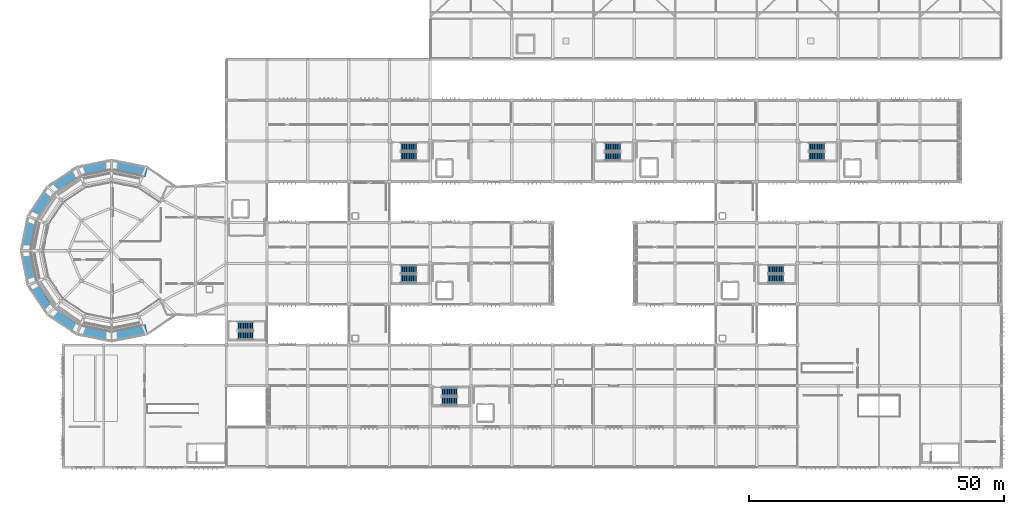
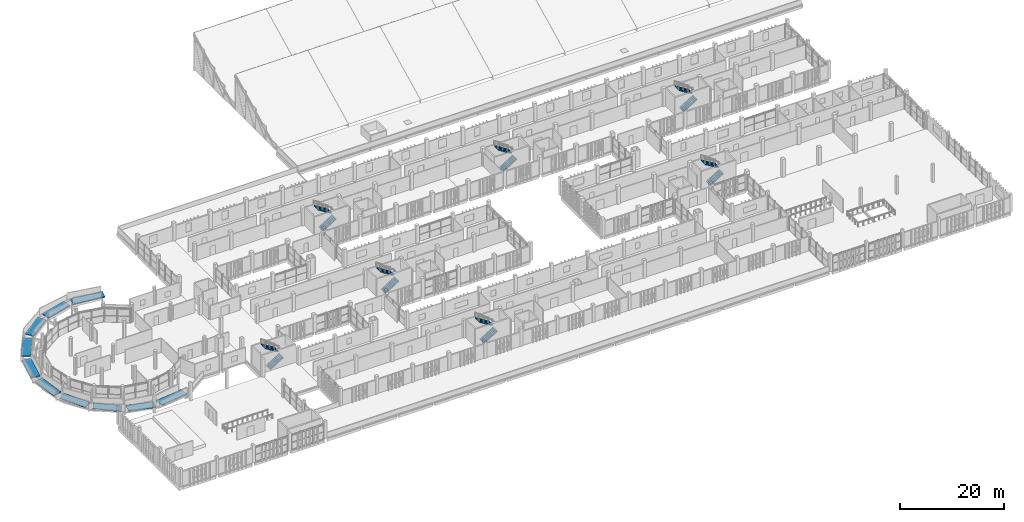
# One storey, part 124 of 137: 14 stair flights, 10 ramp flights, 8 elements without a shape of their own.
"""IFC4 building model written with IfcOpenShell, lengths in metres."""

from ifc_helpers import new_model, si_unit, direction, frame, origin, place, context, subcontext, project, spatial, polyline, outline, extrude, material, type_object, element, aggregate, save


model = new_model("IFC4")

# Units and contexts
model_context = context("Model", 3, precision=1e-05, world=origin(), true_north=direction((0.0, 1.0)))
body_context = subcontext(model_context, "Body", "Model", "MODEL_VIEW")
ifc_project = project(units=[si_unit("LENGTHUNIT", "METRE"), si_unit("AREAUNIT", "SQUARE_METRE"), si_unit("VOLUMEUNIT", "CUBIC_METRE"), si_unit("PLANEANGLEUNIT", "RADIAN"), si_unit("MASSUNIT", "GRAM", prefix="KILO")], contexts=[model_context])

# Site, building, storey
site_placement = place(None, origin())
site = spatial("IfcSite", under=ifc_project, at=site_placement, CompositionType="ELEMENT")
building_placement = place(site_placement, origin())
building = spatial("IfcBuilding", under=site, at=building_placement, Name="Jelvoka-Kovrelna Polytechnic", CompositionType="ELEMENT")
storey_placement = place(building_placement, frame((0.0, 0.0, 9.60009765625)))
storey = spatial("IfcBuildingStorey", under=building, at=storey_placement, Name="L03", CompositionType="ELEMENT", Elevation=9.60009765625)

# Stair, stair flights
ifc_material_1 = material(Name="Concrete C35/45", Category="concrete")
stair_type_1 = type_object("IfcStairType", Name="Stair_Dogleg_1620", PredefinedType="TWO_STRAIGHT_RUN_STAIR", material=ifc_material_1)
stair_1_placement = place(storey_placement, origin())
stair_1 = element("IfcStair", 1, at=stair_1_placement, inside=storey, type_object=stair_type_1, Name="L03 ST03", PredefinedType="TWO_STRAIGHT_RUN_STAIR")
ifc_material_2 = material(Name="Concrete C35/45", Category="concrete")
stair_flight_type = type_object("IfcStairFlightType", Name="Flight_RC_175", PredefinedType="STRAIGHT", material=ifc_material_2)
stair_flight_1_placement = place(storey_placement, frame((50.25, 25.909912109375, 0.0), z_axis=(0.0, 0.0, 1.0), x_axis=(1.0, 0.0, 0.0)))
stair_flight_1 = element("IfcStairFlight", 2, at=stair_flight_1_placement, type_object=stair_flight_type, Name="ST03 flight 1", NumberOfRisers=12, NumberOfTreads=11, PredefinedType="STRAIGHT", RiserHeight=0.175, TreadLength=0.275, context=body_context, shape_type="SweptSolid", body=[
    extrude(outline(polyline([(0.0, 0.0), (0.0, 0.175048828125), (0.27490234375, 0.175048828125), (0.27490234375, 0.35009765625), (0.550048828125, 0.35009765625), (0.550048828125, 0.52490234375), (0.824951171875, 0.52490234375), (0.824951171875, 0.699951171875), (1.10009765625, 0.699951171875), (1.10009765625, 0.875), (1.375, 0.875), (1.375, 1.050048828125), (1.64990234375, 1.050048828125), (1.64990234375, 1.22509765625), (1.925048828125, 1.22509765625), (1.925048828125, 1.39990234375), (2.199951171875, 1.39990234375), (2.199951171875, 1.574951171875), (2.47509765625, 1.574951171875), (2.47509765625, 1.75), (2.75, 1.75), (2.75, 1.925048828125), (3.02490234375, 1.925048828125), (3.02490234375, 2.10009765625), (3.02490234375, 1.711669921875), (0.335205078125, 0.0), (0.0, 0.0)])), frame((0.0, 0.81005859375, 0.0), z_axis=(0.0, -1.0, 0.0), x_axis=(1.0, 0.0, 0.0)), (0.0, 0.0, 1.0), 1.6201171875),
])
stair_flight_2_placement = place(storey_placement, frame((53.27490234375, 27.72998046875, 2.099853515625), z_axis=(0.0, 0.0, 1.0), x_axis=(-1.0, 0.0, 0.0)))
stair_flight_2 = element("IfcStairFlight", 3, at=stair_flight_2_placement, type_object=stair_flight_type, Name="ST03 flight 2", NumberOfRisers=12, NumberOfTreads=11, PredefinedType="STRAIGHT", RiserHeight=0.175, TreadLength=0.275, context=body_context, shape_type="SweptSolid", body=[
    extrude(outline(polyline([(0.0, 0.0), (0.0, 0.175048828125), (0.27490234375, 0.175048828125), (0.27490234375, 0.35009765625), (0.550048828125, 0.35009765625), (0.550048828125, 0.52490234375), (0.824951171875, 0.52490234375), (0.824951171875, 0.699951171875), (1.10009765625, 0.699951171875), (1.10009765625, 0.875), (1.375, 0.875), (1.375, 1.050048828125), (1.64990234375, 1.050048828125), (1.64990234375, 1.22509765625), (1.925048828125, 1.22509765625), (1.925048828125, 1.39990234375), (2.199951171875, 1.39990234375), (2.199951171875, 1.574951171875), (2.47509765625, 1.574951171875), (2.47509765625, 1.75), (2.75, 1.75), (2.75, 1.925048828125), (3.02490234375, 1.925048828125), (3.02490234375, 2.10009765625), (3.02490234375, 1.711669921875), (0.335205078125, 0.0), (0.0, 0.0)])), frame((0.0, 0.81005859375, 0.0), z_axis=(0.0, -1.0, 0.0), x_axis=(1.0, 0.0, 0.0)), (0.0, 0.0, 1.0), 1.6201171875),
])
aggregate(stair_1, [stair_flight_1, stair_flight_2])

stair_2_placement = place(storey_placement, origin())
stair_2 = element("IfcStair", 4, at=stair_2_placement, inside=storey, type_object=stair_type_1, Name="L03 ST06", PredefinedType="TWO_STRAIGHT_RUN_STAIR")
stair_flight_3_placement = place(storey_placement, frame((90.25, 13.010009765625, 0.0), z_axis=(0.0, 0.0, 1.0), x_axis=(1.0, 0.0, 0.0)))
stair_flight_3 = element("IfcStairFlight", 5, at=stair_flight_3_placement, type_object=stair_flight_type, Name="ST06 flight 1", NumberOfRisers=12, NumberOfTreads=11, PredefinedType="STRAIGHT", RiserHeight=0.175, TreadLength=0.275, context=body_context, shape_type="SweptSolid", body=[
    extrude(outline(polyline([(0.0, 0.0), (0.0, 0.175048828125), (0.27490234375, 0.175048828125), (0.27490234375, 0.35009765625), (0.550048828125, 0.35009765625), (0.550048828125, 0.52490234375), (0.824951171875, 0.52490234375), (0.824951171875, 0.699951171875), (1.10009765625, 0.699951171875), (1.10009765625, 0.875), (1.375, 0.875), (1.375, 1.050048828125), (1.64990234375, 1.050048828125), (1.64990234375, 1.22509765625), (1.925048828125, 1.22509765625), (1.925048828125, 1.39990234375), (2.199951171875, 1.39990234375), (2.199951171875, 1.574951171875), (2.47509765625, 1.574951171875), (2.47509765625, 1.75), (2.75, 1.75), (2.75, 1.925048828125), (3.02490234375, 1.925048828125), (3.02490234375, 2.10009765625), (3.02490234375, 1.711669921875), (0.335205078125, 0.0), (0.0, 0.0)])), frame((0.0, 0.81005859375, 0.0), z_axis=(0.0, -1.0, 0.0), x_axis=(1.0, 0.0, 0.0)), (0.0, 0.0, 1.0), 1.6201171875),
])
stair_flight_4_placement = place(storey_placement, frame((93.27490234375, 14.830078125, 2.099853515625), z_axis=(0.0, 0.0, 1.0), x_axis=(-1.0, 0.0, 0.0)))
stair_flight_4 = element("IfcStairFlight", 6, at=stair_flight_4_placement, type_object=stair_flight_type, Name="ST06 flight 2", NumberOfRisers=12, NumberOfTreads=11, PredefinedType="STRAIGHT", RiserHeight=0.175, TreadLength=0.275, context=body_context, shape_type="SweptSolid", body=[
    extrude(outline(polyline([(0.0, 0.0), (0.0, 0.175048828125), (0.27490234375, 0.175048828125), (0.27490234375, 0.35009765625), (0.550048828125, 0.35009765625), (0.550048828125, 0.52490234375), (0.824951171875, 0.52490234375), (0.824951171875, 0.699951171875), (1.10009765625, 0.699951171875), (1.10009765625, 0.875), (1.375, 0.875), (1.375, 1.050048828125), (1.64990234375, 1.050048828125), (1.64990234375, 1.22509765625), (1.925048828125, 1.22509765625), (1.925048828125, 1.39990234375), (2.199951171875, 1.39990234375), (2.199951171875, 1.574951171875), (2.47509765625, 1.574951171875), (2.47509765625, 1.75), (2.75, 1.75), (2.75, 1.925048828125), (3.02490234375, 1.925048828125), (3.02490234375, 2.10009765625), (3.02490234375, 1.711669921875), (0.335205078125, 0.0), (0.0, 0.0)])), frame((0.0, 0.81005859375, 0.0), z_axis=(0.0, -1.0, 0.0), x_axis=(1.0, 0.0, 0.0)), (0.0, 0.0, 1.0), 1.6201171875),
])
aggregate(stair_2, [stair_flight_3, stair_flight_4])

stair_3_placement = place(storey_placement, origin())
stair_3 = element("IfcStair", 7, at=stair_3_placement, inside=storey, type_object=stair_type_1, Name="L03 ST07", PredefinedType="TWO_STRAIGHT_RUN_STAIR")
stair_flight_5_placement = place(storey_placement, frame((82.25, 37.010009765625, 0.0), z_axis=(0.0, 0.0, 1.0), x_axis=(1.0, 0.0, 0.0)))
stair_flight_5 = element("IfcStairFlight", 8, at=stair_flight_5_placement, type_object=stair_flight_type, Name="ST07 flight 1", NumberOfRisers=12, NumberOfTreads=11, PredefinedType="STRAIGHT", RiserHeight=0.175, TreadLength=0.275, context=body_context, shape_type="SweptSolid", body=[
    extrude(outline(polyline([(0.0, 0.0), (0.0, 0.175048828125), (0.27490234375, 0.175048828125), (0.27490234375, 0.35009765625), (0.550048828125, 0.35009765625), (0.550048828125, 0.52490234375), (0.824951171875, 0.52490234375), (0.824951171875, 0.699951171875), (1.10009765625, 0.699951171875), (1.10009765625, 0.875), (1.375, 0.875), (1.375, 1.050048828125), (1.64990234375, 1.050048828125), (1.64990234375, 1.22509765625), (1.925048828125, 1.22509765625), (1.925048828125, 1.39990234375), (2.199951171875, 1.39990234375), (2.199951171875, 1.574951171875), (2.47509765625, 1.574951171875), (2.47509765625, 1.75), (2.75, 1.75), (2.75, 1.925048828125), (3.02490234375, 1.925048828125), (3.02490234375, 2.10009765625), (3.02490234375, 1.711669921875), (0.335205078125, 0.0), (0.0, 0.0)])), frame((0.0, 0.81005859375, 0.0), z_axis=(0.0, -1.0, 0.0), x_axis=(1.0, 0.0, 0.0)), (0.0, 0.0, 1.0), 1.6201171875),
])
stair_flight_6_placement = place(storey_placement, frame((85.27490234375, 38.830078125, 2.099853515625), z_axis=(0.0, 0.0, 1.0), x_axis=(-1.0, 0.0, 0.0)))
stair_flight_6 = element("IfcStairFlight", 9, at=stair_flight_6_placement, type_object=stair_flight_type, Name="ST07 flight 2", NumberOfRisers=12, NumberOfTreads=11, PredefinedType="STRAIGHT", RiserHeight=0.175, TreadLength=0.275, context=body_context, shape_type="SweptSolid", body=[
    extrude(outline(polyline([(0.0, 0.0), (0.0, 0.175048828125), (0.27490234375, 0.175048828125), (0.27490234375, 0.35009765625), (0.550048828125, 0.35009765625), (0.550048828125, 0.52490234375), (0.824951171875, 0.52490234375), (0.824951171875, 0.699951171875), (1.10009765625, 0.699951171875), (1.10009765625, 0.875), (1.375, 0.875), (1.375, 1.050048828125), (1.64990234375, 1.050048828125), (1.64990234375, 1.22509765625), (1.925048828125, 1.22509765625), (1.925048828125, 1.39990234375), (2.199951171875, 1.39990234375), (2.199951171875, 1.574951171875), (2.47509765625, 1.574951171875), (2.47509765625, 1.75), (2.75, 1.75), (2.75, 1.925048828125), (3.02490234375, 1.925048828125), (3.02490234375, 2.10009765625), (3.02490234375, 1.711669921875), (0.335205078125, 0.0), (0.0, 0.0)])), frame((0.0, 0.81005859375, 0.0), z_axis=(0.0, -1.0, 0.0), x_axis=(1.0, 0.0, 0.0)), (0.0, 0.0, 1.0), 1.6201171875),
])
aggregate(stair_3, [stair_flight_5, stair_flight_6])

stair_4_placement = place(storey_placement, origin())
stair_4 = element("IfcStair", 10, at=stair_4_placement, inside=storey, type_object=stair_type_1, Name="L03 ST08", PredefinedType="TWO_STRAIGHT_RUN_STAIR")
stair_flight_7_placement = place(storey_placement, frame((154.25, 37.010009765625, 0.0), z_axis=(0.0, 0.0, 1.0), x_axis=(1.0, 0.0, 0.0)))
stair_flight_7 = element("IfcStairFlight", 11, at=stair_flight_7_placement, type_object=stair_flight_type, Name="ST08 flight 1", NumberOfRisers=12, NumberOfTreads=11, PredefinedType="STRAIGHT", RiserHeight=0.175, TreadLength=0.275, context=body_context, shape_type="SweptSolid", body=[
    extrude(outline(polyline([(0.0, 0.0), (0.0, 0.175048828125), (0.27490234375, 0.175048828125), (0.27490234375, 0.35009765625), (0.550048828125, 0.35009765625), (0.550048828125, 0.52490234375), (0.824951171875, 0.52490234375), (0.824951171875, 0.699951171875), (1.10009765625, 0.699951171875), (1.10009765625, 0.875), (1.375, 0.875), (1.375, 1.050048828125), (1.64990234375, 1.050048828125), (1.64990234375, 1.22509765625), (1.925048828125, 1.22509765625), (1.925048828125, 1.39990234375), (2.199951171875, 1.39990234375), (2.199951171875, 1.574951171875), (2.47509765625, 1.574951171875), (2.47509765625, 1.75), (2.75, 1.75), (2.75, 1.925048828125), (3.02490234375, 1.925048828125), (3.02490234375, 2.10009765625), (3.02490234375, 1.711669921875), (0.335205078125, 0.0), (0.0, 0.0)])), frame((0.0, 0.81005859375, 0.0), z_axis=(0.0, -1.0, 0.0), x_axis=(1.0, 0.0, 0.0)), (0.0, 0.0, 1.0), 1.6201171875),
])
stair_flight_8_placement = place(storey_placement, frame((157.27490234375, 38.830078125, 2.099853515625), z_axis=(0.0, 0.0, 1.0), x_axis=(-1.0, 0.0, 0.0)))
stair_flight_8 = element("IfcStairFlight", 12, at=stair_flight_8_placement, type_object=stair_flight_type, Name="ST08 flight 2", NumberOfRisers=12, NumberOfTreads=11, PredefinedType="STRAIGHT", RiserHeight=0.175, TreadLength=0.275, context=body_context, shape_type="SweptSolid", body=[
    extrude(outline(polyline([(0.0, 0.0), (0.0, 0.175048828125), (0.27490234375, 0.175048828125), (0.27490234375, 0.35009765625), (0.550048828125, 0.35009765625), (0.550048828125, 0.52490234375), (0.824951171875, 0.52490234375), (0.824951171875, 0.699951171875), (1.10009765625, 0.699951171875), (1.10009765625, 0.875), (1.375, 0.875), (1.375, 1.050048828125), (1.64990234375, 1.050048828125), (1.64990234375, 1.22509765625), (1.925048828125, 1.22509765625), (1.925048828125, 1.39990234375), (2.199951171875, 1.39990234375), (2.199951171875, 1.574951171875), (2.47509765625, 1.574951171875), (2.47509765625, 1.75), (2.75, 1.75), (2.75, 1.925048828125), (3.02490234375, 1.925048828125), (3.02490234375, 2.10009765625), (3.02490234375, 1.711669921875), (0.335205078125, 0.0), (0.0, 0.0)])), frame((0.0, 0.81005859375, 0.0), z_axis=(0.0, -1.0, 0.0), x_axis=(1.0, 0.0, 0.0)), (0.0, 0.0, 1.0), 1.6201171875),
])
aggregate(stair_4, [stair_flight_7, stair_flight_8])

stair_5_placement = place(storey_placement, origin())
stair_5 = element("IfcStair", 13, at=stair_5_placement, inside=storey, type_object=stair_type_1, Name="L03 ST09", PredefinedType="TWO_STRAIGHT_RUN_STAIR")
stair_flight_9_placement = place(storey_placement, frame((82.25, 61.010009765625, 0.0), z_axis=(0.0, 0.0, 1.0), x_axis=(1.0, 0.0, 0.0)))
stair_flight_9 = element("IfcStairFlight", 14, at=stair_flight_9_placement, type_object=stair_flight_type, Name="ST09 flight 1", NumberOfRisers=12, NumberOfTreads=11, PredefinedType="STRAIGHT", RiserHeight=0.175, TreadLength=0.275, context=body_context, shape_type="SweptSolid", body=[
    extrude(outline(polyline([(0.0, 0.0), (0.0, 0.175048828125), (0.27490234375, 0.175048828125), (0.27490234375, 0.35009765625), (0.550048828125, 0.35009765625), (0.550048828125, 0.52490234375), (0.824951171875, 0.52490234375), (0.824951171875, 0.699951171875), (1.10009765625, 0.699951171875), (1.10009765625, 0.875), (1.375, 0.875), (1.375, 1.050048828125), (1.64990234375, 1.050048828125), (1.64990234375, 1.22509765625), (1.925048828125, 1.22509765625), (1.925048828125, 1.39990234375), (2.199951171875, 1.39990234375), (2.199951171875, 1.574951171875), (2.47509765625, 1.574951171875), (2.47509765625, 1.75), (2.75, 1.75), (2.75, 1.925048828125), (3.02490234375, 1.925048828125), (3.02490234375, 2.10009765625), (3.02490234375, 1.711669921875), (0.335205078125, 0.0), (0.0, 0.0)])), frame((0.0, 0.81005859375, 0.0), z_axis=(0.0, -1.0, 0.0), x_axis=(1.0, 0.0, 0.0)), (0.0, 0.0, 1.0), 1.6201171875),
])
stair_flight_10_placement = place(storey_placement, frame((85.27490234375, 62.830078125, 2.099853515625), z_axis=(0.0, 0.0, 1.0), x_axis=(-1.0, 0.0, 0.0)))
stair_flight_10 = element("IfcStairFlight", 15, at=stair_flight_10_placement, type_object=stair_flight_type, Name="ST09 flight 2", NumberOfRisers=12, NumberOfTreads=11, PredefinedType="STRAIGHT", RiserHeight=0.175, TreadLength=0.275, context=body_context, shape_type="SweptSolid", body=[
    extrude(outline(polyline([(0.0, 0.0), (0.0, 0.175048828125), (0.27490234375, 0.175048828125), (0.27490234375, 0.35009765625), (0.550048828125, 0.35009765625), (0.550048828125, 0.52490234375), (0.824951171875, 0.52490234375), (0.824951171875, 0.699951171875), (1.10009765625, 0.699951171875), (1.10009765625, 0.875), (1.375, 0.875), (1.375, 1.050048828125), (1.64990234375, 1.050048828125), (1.64990234375, 1.22509765625), (1.925048828125, 1.22509765625), (1.925048828125, 1.39990234375), (2.199951171875, 1.39990234375), (2.199951171875, 1.574951171875), (2.47509765625, 1.574951171875), (2.47509765625, 1.75), (2.75, 1.75), (2.75, 1.925048828125), (3.02490234375, 1.925048828125), (3.02490234375, 2.10009765625), (3.02490234375, 1.711669921875), (0.335205078125, 0.0), (0.0, 0.0)])), frame((0.0, 0.81005859375, 0.0), z_axis=(0.0, -1.0, 0.0), x_axis=(1.0, 0.0, 0.0)), (0.0, 0.0, 1.0), 1.6201171875),
])
aggregate(stair_5, [stair_flight_9, stair_flight_10])

stair_6_placement = place(storey_placement, origin())
stair_6 = element("IfcStair", 16, at=stair_6_placement, inside=storey, type_object=stair_type_1, Name="L03 ST10", PredefinedType="TWO_STRAIGHT_RUN_STAIR")
stair_flight_11_placement = place(storey_placement, frame((162.25, 61.010009765625, 0.0), z_axis=(0.0, 0.0, 1.0), x_axis=(1.0, 0.0, 0.0)))
stair_flight_11 = element("IfcStairFlight", 17, at=stair_flight_11_placement, type_object=stair_flight_type, Name="ST10 flight 1", NumberOfRisers=12, NumberOfTreads=11, PredefinedType="STRAIGHT", RiserHeight=0.175, TreadLength=0.275, context=body_context, shape_type="SweptSolid", body=[
    extrude(outline(polyline([(0.0, 0.0), (0.0, 0.175048828125), (0.27490234375, 0.175048828125), (0.27490234375, 0.35009765625), (0.550048828125, 0.35009765625), (0.550048828125, 0.52490234375), (0.824951171875, 0.52490234375), (0.824951171875, 0.699951171875), (1.10009765625, 0.699951171875), (1.10009765625, 0.875), (1.375, 0.875), (1.375, 1.050048828125), (1.64990234375, 1.050048828125), (1.64990234375, 1.22509765625), (1.925048828125, 1.22509765625), (1.925048828125, 1.39990234375), (2.199951171875, 1.39990234375), (2.199951171875, 1.574951171875), (2.47509765625, 1.574951171875), (2.47509765625, 1.75), (2.75, 1.75), (2.75, 1.925048828125), (3.02490234375, 1.925048828125), (3.02490234375, 2.10009765625), (3.02490234375, 1.711669921875), (0.335205078125, 0.0), (0.0, 0.0)])), frame((0.0, 0.81005859375, 0.0), z_axis=(0.0, -1.0, 0.0), x_axis=(1.0, 0.0, 0.0)), (0.0, 0.0, 1.0), 1.6201171875),
])
stair_flight_12_placement = place(storey_placement, frame((165.27490234375, 62.830078125, 2.099853515625), z_axis=(0.0, 0.0, 1.0), x_axis=(-1.0, 0.0, 0.0)))
stair_flight_12 = element("IfcStairFlight", 18, at=stair_flight_12_placement, type_object=stair_flight_type, Name="ST10 flight 2", NumberOfRisers=12, NumberOfTreads=11, PredefinedType="STRAIGHT", RiserHeight=0.175, TreadLength=0.275, context=body_context, shape_type="SweptSolid", body=[
    extrude(outline(polyline([(0.0, 0.0), (0.0, 0.175048828125), (0.27490234375, 0.175048828125), (0.27490234375, 0.35009765625), (0.550048828125, 0.35009765625), (0.550048828125, 0.52490234375), (0.824951171875, 0.52490234375), (0.824951171875, 0.699951171875), (1.10009765625, 0.699951171875), (1.10009765625, 0.875), (1.375, 0.875), (1.375, 1.050048828125), (1.64990234375, 1.050048828125), (1.64990234375, 1.22509765625), (1.925048828125, 1.22509765625), (1.925048828125, 1.39990234375), (2.199951171875, 1.39990234375), (2.199951171875, 1.574951171875), (2.47509765625, 1.574951171875), (2.47509765625, 1.75), (2.75, 1.75), (2.75, 1.925048828125), (3.02490234375, 1.925048828125), (3.02490234375, 2.10009765625), (3.02490234375, 1.711669921875), (0.335205078125, 0.0), (0.0, 0.0)])), frame((0.0, 0.81005859375, 0.0), z_axis=(0.0, -1.0, 0.0), x_axis=(1.0, 0.0, 0.0)), (0.0, 0.0, 1.0), 1.6201171875),
])
aggregate(stair_6, [stair_flight_11, stair_flight_12])

ifc_material_3 = material(Name="Concrete C35/45", Category="concrete")
stair_type_2 = type_object("IfcStairType", Name="Stair_Dogleg_1580", PredefinedType="TWO_STRAIGHT_RUN_STAIR", material=ifc_material_3)
stair_7_placement = place(storey_placement, origin())
stair_7 = element("IfcStair", 19, at=stair_7_placement, inside=storey, type_object=stair_type_2, Name="L03 ST11", PredefinedType="TWO_STRAIGHT_RUN_STAIR")
stair_flight_13_placement = place(storey_placement, frame((122.25, 60.989990234375, 0.0), z_axis=(0.0, 0.0, 1.0), x_axis=(1.0, 0.0, 0.0)))
stair_flight_13 = element("IfcStairFlight", 20, at=stair_flight_13_placement, type_object=stair_flight_type, Name="ST11 flight 1", NumberOfRisers=12, NumberOfTreads=11, PredefinedType="STRAIGHT", RiserHeight=0.175, TreadLength=0.275, context=body_context, shape_type="SweptSolid", body=[
    extrude(outline(polyline([(0.0, 0.0), (0.0, 0.175048828125), (0.27490234375, 0.175048828125), (0.27490234375, 0.35009765625), (0.550048828125, 0.35009765625), (0.550048828125, 0.52490234375), (0.824951171875, 0.52490234375), (0.824951171875, 0.699951171875), (1.10009765625, 0.699951171875), (1.10009765625, 0.875), (1.375, 0.875), (1.375, 1.050048828125), (1.64990234375, 1.050048828125), (1.64990234375, 1.22509765625), (1.925048828125, 1.22509765625), (1.925048828125, 1.39990234375), (2.199951171875, 1.39990234375), (2.199951171875, 1.574951171875), (2.47509765625, 1.574951171875), (2.47509765625, 1.75), (2.75, 1.75), (2.75, 1.925048828125), (3.02490234375, 1.925048828125), (3.02490234375, 2.10009765625), (3.02490234375, 1.711669921875), (0.335205078125, 0.0), (0.0, 0.0)])), frame((0.0, 0.7900390625, 0.0), z_axis=(0.0, -1.0, 0.0), x_axis=(1.0, 0.0, 0.0)), (0.0, 0.0, 1.0), 1.580078125),
])
stair_flight_14_placement = place(storey_placement, frame((125.27490234375, 62.85009765625, 2.099853515625), z_axis=(0.0, 0.0, 1.0), x_axis=(-1.0, 0.0, 0.0)))
stair_flight_14 = element("IfcStairFlight", 21, at=stair_flight_14_placement, type_object=stair_flight_type, Name="ST11 flight 2", NumberOfRisers=12, NumberOfTreads=11, PredefinedType="STRAIGHT", RiserHeight=0.175, TreadLength=0.275, context=body_context, shape_type="SweptSolid", body=[
    extrude(outline(polyline([(0.0, 0.0), (0.0, 0.175048828125), (0.27490234375, 0.175048828125), (0.27490234375, 0.35009765625), (0.550048828125, 0.35009765625), (0.550048828125, 0.52490234375), (0.824951171875, 0.52490234375), (0.824951171875, 0.699951171875), (1.10009765625, 0.699951171875), (1.10009765625, 0.875), (1.375, 0.875), (1.375, 1.050048828125), (1.64990234375, 1.050048828125), (1.64990234375, 1.22509765625), (1.925048828125, 1.22509765625), (1.925048828125, 1.39990234375), (2.199951171875, 1.39990234375), (2.199951171875, 1.574951171875), (2.47509765625, 1.574951171875), (2.47509765625, 1.75), (2.75, 1.75), (2.75, 1.925048828125), (3.02490234375, 1.925048828125), (3.02490234375, 2.10009765625), (3.02490234375, 1.711669921875), (0.335205078125, 0.0), (0.0, 0.0)])), frame((0.0, 0.7900390625, 0.0), z_axis=(0.0, -1.0, 0.0), x_axis=(1.0, 0.0, 0.0)), (0.0, 0.0, 1.0), 1.580078125),
])
aggregate(stair_7, [stair_flight_13, stair_flight_14])

# Ramp, ramp flights
ifc_material_4 = material(Name="Precast concrete C40/50", Category="concrete")
ramp_type = type_object("IfcRampType", Name="Ramp_Accessible_RC", PredefinedType="SPIRAL_RAMP", material=ifc_material_4)
ramp_placement = place(storey_placement, origin())
ramp = element("IfcRamp", 22, at=ramp_placement, inside=storey, type_object=ramp_type, Name="L03 spiral rotunda accessible ramp", PredefinedType="SPIRAL_RAMP")
ramp_flight_type = type_object("IfcRampFlightType", Name="RampFlight_RC_220", PredefinedType="STRAIGHT", material=ifc_material_4)
ramp_flight_1_placement = place(None, frame((32.32666015625, 27.0947265625, 9.60009765625), z_axis=(0.0, 0.0, 1.0), x_axis=(-0.97485927699, -0.222821430898, 0.0)))
ramp_flight_1 = element("IfcRampFlight", 23, at=ramp_flight_1_placement, type_object=ramp_flight_type, Name="L03 rotunda spiral ramp flight F01", PredefinedType="STRAIGHT", context=body_context, shape_type="SweptSolid", body=[
    extrude(outline(polyline([(0.0, 0.0), (6.444580078125, 0.47998046875), (6.444580078125, 0.260009765625), (0.0, -0.219970703125), (0.0, 0.0)])), frame((0.0, 0.929931640625, 0.0), z_axis=(0.0, -1.0, 0.0), x_axis=(1.0, 0.0, 0.0)), (0.0, 0.0, 1.0), 1.860107421875),
])
ramp_flight_2_placement = place(None, frame((24.9560546875, 25.65869140625, 10.080078125), z_axis=(0.0, 0.0, 1.0), x_axis=(-0.980784885236, 0.195092308646, 0.0)))
ramp_flight_2 = element("IfcRampFlight", 24, at=ramp_flight_2_placement, type_object=ramp_flight_type, Name="L03 rotunda spiral ramp flight F02", PredefinedType="STRAIGHT", context=body_context, shape_type="SweptSolid", body=[
    extrude(outline(polyline([(0.0, 0.0), (5.504150390625, 0.360107421875), (5.504150390625, 0.139892578125), (0.0, -0.219970703125), (0.0, 0.0)])), frame((0.0, 0.929931640625, 0.0), z_axis=(0.0, -1.0, 0.0), x_axis=(1.0, 0.0, 0.0)), (0.0, 0.0, 1.0), 1.860107421875),
])
ramp_flight_3_placement = place(None, frame((18.552490234375, 27.14892578125, 10.43994140625), z_axis=(0.0, 0.0, 1.0), x_axis=(-0.831471251924, 0.555567779145, 0.0)))
ramp_flight_3 = element("IfcRampFlight", 25, at=ramp_flight_3_placement, type_object=ramp_flight_type, Name="L03 rotunda spiral ramp flight F03", PredefinedType="STRAIGHT", context=body_context, shape_type="SweptSolid", body=[
    extrude(outline(polyline([(0.0, 0.0), (5.504150390625, 0.419921875), (5.504150390625, 0.199951171875), (0.0, -0.219970703125), (0.0, 0.0)])), frame((0.0, 0.929931640625, 0.0), z_axis=(0.0, -1.0, 0.0), x_axis=(1.0, 0.0, 0.0)), (0.0, 0.0, 1.0), 1.860107421875),
])
ramp_flight_4_placement = place(None, frame((13.206787109375, 30.97607421875, 10.860107421875), z_axis=(0.0, 0.0, 1.0), x_axis=(-0.555567779145, 0.831471251924, 0.0)))
ramp_flight_4 = element("IfcRampFlight", 26, at=ramp_flight_4_placement, type_object=ramp_flight_type, Name="L03 rotunda spiral ramp flight F04", PredefinedType="STRAIGHT", context=body_context, shape_type="SweptSolid", body=[
    extrude(outline(polyline([(0.0, 0.0), (5.504150390625, 0.419921875), (5.504150390625, 0.199951171875), (0.0, -0.219970703125), (0.0, 0.0)])), frame((0.0, 0.929931640625, 0.0), z_axis=(0.0, -1.0, 0.0), x_axis=(1.0, 0.0, 0.0)), (0.0, 0.0, 1.0), 1.860107421875),
])
ramp_flight_5_placement = place(None, frame((9.732666015625, 36.5576171875, 11.280029296875), z_axis=(0.0, 0.0, 1.0), x_axis=(-0.195092308646, 0.980784885236, 0.0)))
ramp_flight_5 = element("IfcRampFlight", 27, at=ramp_flight_5_placement, type_object=ramp_flight_type, Name="L03 rotunda spiral ramp flight F05", PredefinedType="STRAIGHT", context=body_context, shape_type="SweptSolid", body=[
    extrude(outline(polyline([(0.0, 0.0), (5.504150390625, 0.419921875), (5.504150390625, 0.199951171875), (0.0, -0.219970703125), (0.0, 0.0)])), frame((0.0, 0.929931640625, 0.0), z_axis=(0.0, -1.0, 0.0), x_axis=(1.0, 0.0, 0.0)), (0.0, 0.0, 1.0), 1.860107421875),
])
ramp_flight_6_placement = place(None, frame((8.65869140625, 43.0439453125, 11.699951171875), z_axis=(0.0, 0.0, 1.0), x_axis=(0.195092308646, 0.980784885236, 0.0)))
ramp_flight_6 = element("IfcRampFlight", 28, at=ramp_flight_6_placement, type_object=ramp_flight_type, Name="L03 rotunda spiral ramp flight F06", PredefinedType="STRAIGHT", context=body_context, shape_type="SweptSolid", body=[
    extrude(outline(polyline([(0.0, 0.0), (5.504150390625, 0.419921875), (5.504150390625, 0.199951171875), (0.0, -0.219970703125), (0.0, 0.0)])), frame((0.0, 0.929931640625, 0.0), z_axis=(0.0, -1.0, 0.0), x_axis=(1.0, 0.0, 0.0)), (0.0, 0.0, 1.0), 1.860107421875),
])
ramp_flight_7_placement = place(None, frame((10.14892578125, 49.447509765625, 12.1201171875), z_axis=(0.0, 0.0, 1.0), x_axis=(0.555567779145, 0.831471251924, 0.0)))
ramp_flight_7 = element("IfcRampFlight", 29, at=ramp_flight_7_placement, type_object=ramp_flight_type, Name="L03 rotunda spiral ramp flight F07", PredefinedType="STRAIGHT", context=body_context, shape_type="SweptSolid", body=[
    extrude(outline(polyline([(0.0, 0.0), (5.504150390625, 0.419921875), (5.504150390625, 0.199951171875), (0.0, -0.219970703125), (0.0, 0.0)])), frame((0.0, 0.929931640625, 0.0), z_axis=(0.0, -1.0, 0.0), x_axis=(1.0, 0.0, 0.0)), (0.0, 0.0, 1.0), 1.860107421875),
])
ramp_flight_8_placement = place(None, frame((13.97607421875, 54.793212890625, 12.5400390625), z_axis=(0.0, 0.0, 1.0), x_axis=(0.831471251924, 0.555567779145, 0.0)))
ramp_flight_8 = element("IfcRampFlight", 30, at=ramp_flight_8_placement, type_object=ramp_flight_type, Name="L03 rotunda spiral ramp flight F08", PredefinedType="STRAIGHT", context=body_context, shape_type="SweptSolid", body=[
    extrude(outline(polyline([(0.0, 0.0), (5.504150390625, 0.419921875), (5.504150390625, 0.199951171875), (0.0, -0.219970703125), (0.0, 0.0)])), frame((0.0, 0.929931640625, 0.0), z_axis=(0.0, -1.0, 0.0), x_axis=(1.0, 0.0, 0.0)), (0.0, 0.0, 1.0), 1.860107421875),
])
ramp_flight_9_placement = place(None, frame((19.5576171875, 58.267333984375, 12.9599609375), z_axis=(0.0, 0.0, 1.0), x_axis=(0.980784885236, 0.195092308646, 0.0)))
ramp_flight_9 = element("IfcRampFlight", 31, at=ramp_flight_9_placement, type_object=ramp_flight_type, Name="L03 rotunda spiral ramp flight F09", PredefinedType="STRAIGHT", context=body_context, shape_type="SweptSolid", body=[
    extrude(outline(polyline([(0.0, 0.0), (5.504150390625, 0.419921875), (5.504150390625, 0.199951171875), (0.0, -0.219970703125), (0.0, 0.0)])), frame((0.0, 0.929931640625, 0.0), z_axis=(0.0, -1.0, 0.0), x_axis=(1.0, 0.0, 0.0)), (0.0, 0.0, 1.0), 1.860107421875),
])
ramp_flight_10_placement = place(None, frame((26.0439453125, 59.34130859375, 13.3798828125), z_axis=(0.0, 0.0, 1.0), x_axis=(0.97485927699, -0.222821430898, 0.0)))
ramp_flight_10 = element("IfcRampFlight", 32, at=ramp_flight_10_placement, type_object=ramp_flight_type, Name="L03 rotunda spiral ramp flight F10", PredefinedType="STRAIGHT", context=body_context, shape_type="SweptSolid", body=[
    extrude(outline(polyline([(0.0, 0.0), (6.444580078125, 0.419921875), (6.444580078125, 0.199951171875), (0.0, -0.219970703125), (0.0, 0.0)])), frame((0.0, 0.929931640625, 0.0), z_axis=(0.0, -1.0, 0.0), x_axis=(1.0, 0.0, 0.0)), (0.0, 0.0, 1.0), 1.860107421875),
])
aggregate(ramp, [ramp_flight_1, ramp_flight_2, ramp_flight_3, ramp_flight_4, ramp_flight_5, ramp_flight_6, ramp_flight_7, ramp_flight_8, ramp_flight_9, ramp_flight_10])

save(model, "model.ifc")
